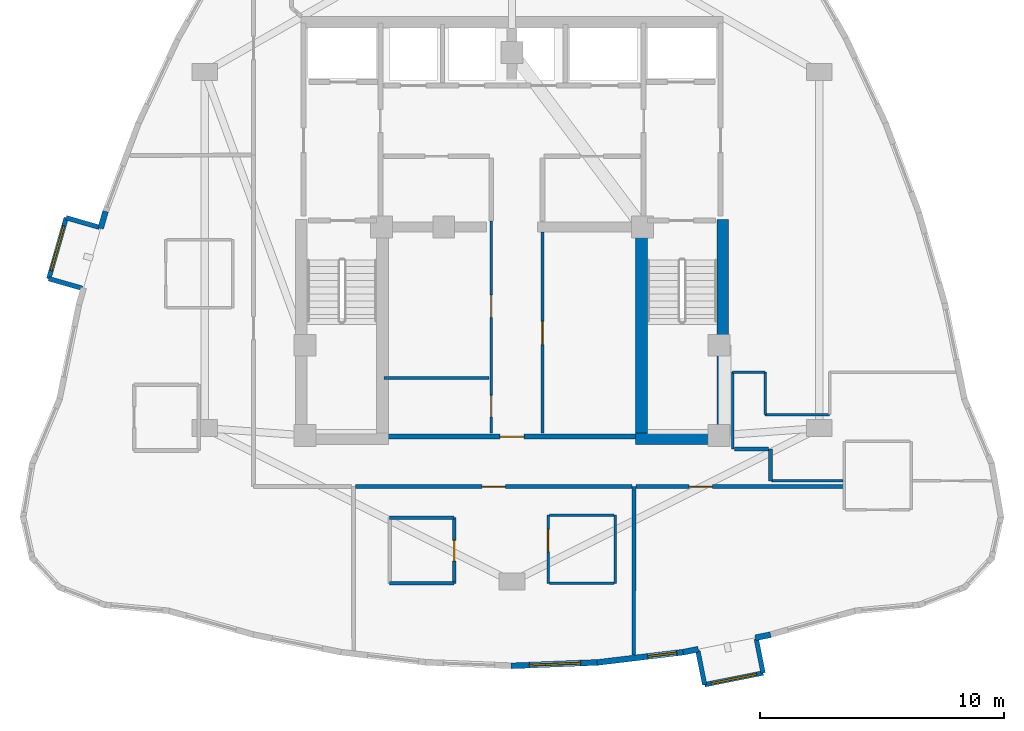
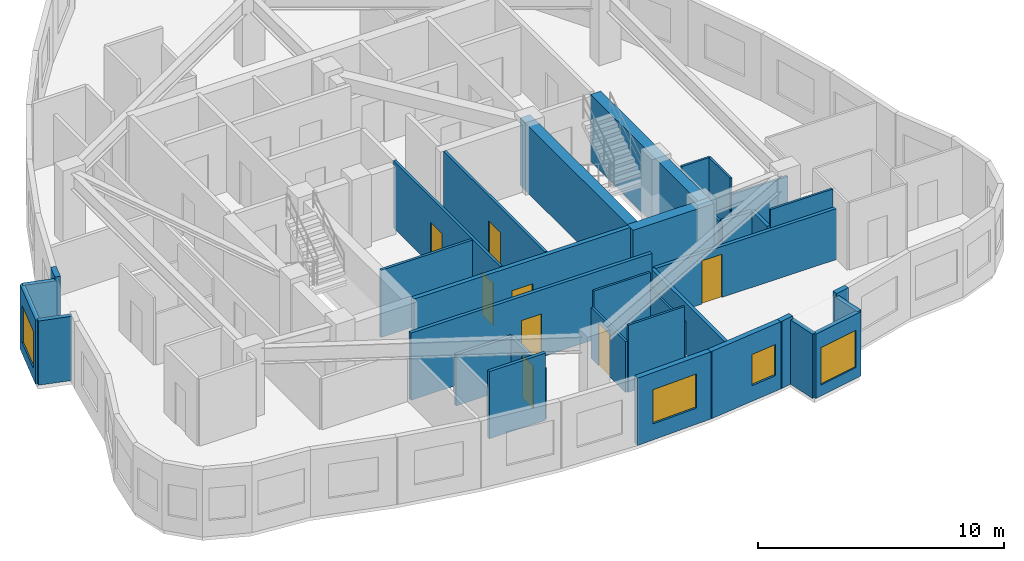
# One storey, part 4 of 8: 35 walls, 8 doors, 4 windows, 12 openings.
"""IFC4 building model written with IfcOpenShell, lengths in metres."""

from ifc_helpers import new_model, si_unit, direction, frame, frame_2d, origin, place, context, subcontext, project, spatial, rectangle, extrude, material, layer, layer_set, type_object, element, fill, save


model = new_model("IFC4")

# Units and contexts
model_context = context("Model", 3, precision=1e-05, world=origin(), true_north=direction((0.0, 1.0)))
body_context = subcontext(model_context, "Body", "Model", "MODEL_VIEW")
ifc_project = project(units=[si_unit("LENGTHUNIT", "METRE"), si_unit("AREAUNIT", "SQUARE_METRE"), si_unit("VOLUMEUNIT", "CUBIC_METRE"), si_unit("PLANEANGLEUNIT", "RADIAN"), si_unit("MASSUNIT", "GRAM", prefix="KILO")], contexts=[model_context])

# Site, building, storey
site_placement = place(None, origin())
site = spatial("IfcSite", under=ifc_project, at=site_placement, CompositionType="ELEMENT")
building_placement = place(site_placement, origin())
building = spatial("IfcBuilding", under=site, at=building_placement, Name="Miruveldt Soraemaru", CompositionType="ELEMENT")
storey_placement = place(building_placement, frame((0.0, 0.0, 212.39990234375)))
storey = spatial("IfcBuildingStorey", under=building, at=storey_placement, Name="L58", CompositionType="ELEMENT", Elevation=212.39990234375)

# Walls
ifc_material_1 = material(Name="White powder-coated aluminium EN AW-6060 T6", Category="aluminium")
ifc_layer_1 = layer(ifc_material_1, 0.18994140625, Name="White powder-coated aluminium EN AW-6060 T6", Category="aluminium")
ifc_layer_set_1 = layer_set([ifc_layer_1], Name="White powder-coated aluminium EN AW-6060 T6")
wall_type_1 = type_object("IfcWallType", Name="WALL-BAY-ALU190", PredefinedType="SOLIDWALL", material=ifc_layer_set_1)
for number, where, z_axis, x_axis, name in (
    (1, (27.081787109375, 44.035888671875, 0.0), (0.0, 0.0, 1.0), (-0.961407497968, 0.27512837522, 0.0), "L58 Bay Window Side Cheek 3L"),
    (2, (24.99658203125, 41.92822265625, 0.0), (0.0, 0.0, 1.0), (0.961452801096, -0.274970018845, 0.0), "L58 Bay Window Side Cheek 3R"),
):
    element("IfcWall", number, at=place(storey_placement, frame(where, z_axis=z_axis, x_axis=x_axis)), inside=storey, type_object=wall_type_1, Name=name, PredefinedType="SOLIDWALL", context=body_context, shape_type="SweptSolid", body=[
        extrude(rectangle(XDim=1.425048828125, YDim=0.18994140625, at=frame_2d((0.71240234375, 0.0))), origin(), (0.0, 0.0, 1.0), 3.195068359375),
    ])

# Wall, opening, window
wall_1_placement = place(storey_placement, frame((25.711669921875, 44.427978515625, 0.0), z_axis=(0.0, 0.0, 1.0), x_axis=(-0.275031158597, -0.961435313373, 0.0)))
wall_1 = element("IfcWall", 3, at=wall_1_placement, inside=storey, type_object=wall_type_1, Name="L58 Bay Window Front Frame 3", PredefinedType="SOLIDWALL", context=body_context, shape_type="SweptSolid", body=[
    extrude(rectangle(XDim=2.60009765625, YDim=0.18994140625, at=frame_2d((1.300048828125, 0.0))), origin(), (0.0, 0.0, 1.0), 3.195068359375),
])
opening_1_placement = place(wall_1_placement, frame((0.35009765625, 0.0, 0.550048828125)))
opening_1 = element("IfcOpeningElement", 4, at=opening_1_placement, cuts=wall_1, Name="Opening WN-6", PredefinedType="OPENING", context=body_context, shape_type="SweptSolid", body=[
    extrude(rectangle(XDim=1.89990234375, YDim=1.85009765625, at=frame_2d((0.949951171875, 0.925048828125))), frame((0.0, 0.10498046875, 0.0), z_axis=(0.0, -1.0, 0.0), x_axis=(1.0, 0.0, 0.0)), (0.0, 0.0, 1.0), 0.2099609375),
])
ifc_material_2 = material(Name="Triple low-e insulated glazing", Category="glass")
window_type_1 = type_object("IfcWindowType", Name="WIN-BAYW-1900x1850", PartitioningType="SINGLE_PANEL", PredefinedType="WINDOW", material=ifc_material_2)
window_1_placement = place(opening_1_placement, origin())
window_1 = element("IfcWindow", 5, at=window_1_placement, inside=storey, type_object=window_type_1, Name="L58 Projecting Bay Window 3", OverallHeight=1.85009765625, OverallWidth=1.89990234375, PartitioningType="SINGLE_PANEL", PredefinedType="WINDOW", context=body_context, shape_type="SweptSolid", body=[
    extrude(rectangle(XDim=1.89990234375, YDim=1.85009765625, at=frame_2d((0.949951171875, 0.925048828125))), frame((0.0, 0.030029296875, 0.0), z_axis=(0.0, -1.0, 0.0), x_axis=(1.0, 0.0, 0.0)), (0.0, 0.0, 1.0), 0.06005859375),
])
fill(opening_1, window_1)

# Walls
for number, where, z_axis, x_axis, name in (
    (6, (51.623779296875, 26.671142578125, 0.0), (0.0, 0.0, 1.0), (0.196149079112, -0.980574086321, 0.0), "L58 Bay Window Side Cheek 1L"),
    (7, (54.2998046875, 25.7529296875, 0.0), (0.0, 0.0, 1.0), (-0.195984352603, 0.980607022989, 0.0), "L58 Bay Window Side Cheek 1R"),
):
    element("IfcWall", number, at=place(storey_placement, frame(where, z_axis=z_axis, x_axis=x_axis)), inside=storey, type_object=wall_type_1, Name=name, PredefinedType="SOLIDWALL", context=body_context, shape_type="SweptSolid", body=[
        extrude(rectangle(XDim=1.425048828125, YDim=0.18994140625, at=frame_2d((0.71240234375, 0.0))), origin(), (0.0, 0.0, 1.0), 3.195068359375),
    ])

# Wall, opening, window
wall_2_placement = place(storey_placement, frame((51.9033203125, 25.273681640625, 0.0), z_axis=(0.0, 0.0, 1.0), x_axis=(0.980584517678, 0.196096924226, 0.0)))
wall_2 = element("IfcWall", 8, at=wall_2_placement, inside=storey, type_object=wall_type_1, Name="L58 Bay Window Front Frame 1", PredefinedType="SOLIDWALL", context=body_context, shape_type="SweptSolid", body=[
    extrude(rectangle(XDim=2.44384765625, YDim=0.18994140625, at=frame_2d((1.221923828125, 0.0))), origin(), (0.0, 0.0, 1.0), 3.195068359375),
])
opening_2_placement = place(wall_2_placement, frame((0.27197265625, 0.0, 0.550048828125)))
opening_2 = element("IfcOpeningElement", 9, at=opening_2_placement, cuts=wall_2, Name="Opening WN-6", PredefinedType="OPENING", context=body_context, shape_type="SweptSolid", body=[
    extrude(rectangle(XDim=1.89990234375, YDim=1.85009765625, at=frame_2d((0.949951171875, 0.925048828125))), frame((0.0, 0.10498046875, 0.0), z_axis=(0.0, -1.0, 0.0), x_axis=(1.0, 0.0, 0.0)), (0.0, 0.0, 1.0), 0.2099609375),
])
window_2_placement = place(opening_2_placement, origin())
window_2 = element("IfcWindow", 10, at=window_2_placement, inside=storey, type_object=window_type_1, Name="L58 Projecting Bay Window 1", OverallHeight=1.85009765625, OverallWidth=1.89990234375, PartitioningType="SINGLE_PANEL", PredefinedType="WINDOW", context=body_context, shape_type="SweptSolid", body=[
    extrude(rectangle(XDim=1.89990234375, YDim=1.85009765625, at=frame_2d((0.949951171875, 0.925048828125))), frame((0.0, 0.030029296875, 0.0), z_axis=(0.0, -1.0, 0.0), x_axis=(1.0, 0.0, 0.0)), (0.0, 0.0, 1.0), 0.06005859375),
])
fill(opening_2, window_2)

# Walls
ifc_material_3 = material(Name="Concrete C60/75 (60 MPa)", Category="concrete")
ifc_layer_2 = layer(ifc_material_3, 0.47998046875, Name="Concrete C60/75 (60 MPa)", Category="concrete")
ifc_layer_set_2 = layer_set([ifc_layer_2], Name="Concrete C60/75 (60 MPa)")
wall_type_2 = type_object("IfcWallType", Name="WALL-CW-480", PredefinedType="SHEAR", material=ifc_layer_set_2)
wall_3_placement = place(storey_placement, frame((49.070068359375, 35.360107421875, 0.0), z_axis=(0.0, 0.0, 1.0), x_axis=(1.0, 0.0, 0.0)))
element("IfcWall", 11, at=wall_3_placement, inside=storey, type_object=wall_type_2, Name="L58 Central Core Shear Wall S2", PredefinedType="SHEAR", context=body_context, shape_type="SweptSolid", body=[
    extrude(rectangle(XDim=3.809814453125, YDim=0.47998046875, at=frame_2d((1.90478515625, 0.0))), origin(), (0.0, 0.0, 1.0), 3.34521484375),
])
wall_4_placement = place(storey_placement, frame((52.639892578125, 35.1201171875, 0.0), z_axis=(0.0, 0.0, 1.0), x_axis=(0.0, 1.0, 0.0)))
element("IfcWall", 12, at=wall_4_placement, inside=storey, type_object=wall_type_2, Name="L58 Central Core Shear Wall E1", PredefinedType="SHEAR", context=body_context, shape_type="SweptSolid", body=[
    extrude(rectangle(XDim=9.22998046875, YDim=0.47998046875, at=frame_2d((4.614990234375, 0.0))), origin(), (0.0, 0.0, 1.0), 3.34521484375),
])
wall_5_placement = place(storey_placement, frame((49.31005859375, 35.39990234375, 0.0), z_axis=(0.0, 0.0, 1.0), x_axis=(0.0, 1.0, 0.0)))
element("IfcWall", 13, at=wall_5_placement, inside=storey, type_object=wall_type_2, Name="L58 Central Core Shear Wall SE-INT", PredefinedType="SHEAR", context=body_context, shape_type="SweptSolid", body=[
    extrude(rectangle(XDim=8.9501953125, YDim=0.47998046875, at=frame_2d((4.47509765625, 0.0))), origin(), (0.0, 0.0, 1.0), 3.34521484375),
])
ifc_material_4 = material(Name="Precast concrete C45/55 (45 MPa)", Category="concrete")
ifc_layer_3 = layer(ifc_material_4, 0.239990234375, Name="Precast concrete C45/55 (45 MPa)", Category="concrete")
ifc_layer_set_3 = layer_set([ifc_layer_3], Name="Precast concrete C45/55 (45 MPa)")
wall_type_3 = type_object("IfcWallType", Name="WALL-EXT-PC240", PredefinedType="SOLIDWALL", material=ifc_layer_set_3)
wall_6_placement = place(storey_placement, frame((27.325927734375, 44.690185546875, 0.0), z_axis=(0.0, 0.0, 1.0), x_axis=(-0.274765545951, -0.961511255659, 0.0)))
element("IfcWall", 14, at=wall_6_placement, inside=storey, type_object=wall_type_3, Name="L58 Precast Pier Wall 13A", PredefinedType="SOLIDWALL", context=body_context, shape_type="SweptSolid", body=[
    extrude(rectangle(XDim=0.725830078125, YDim=0.239990234375, at=frame_2d((0.36279296875, 0.0))), origin(), (0.0, 0.0, 1.0), 3.34521484375),
])

# Wall, opening, window
wall_7_placement = place(storey_placement, frame((43.965087890625, 26.046875, 0.0), z_axis=(0.0, 0.0, 1.0), x_axis=(0.999200741881, 0.039973459008, 0.0)))
wall_7 = element("IfcWall", 15, at=wall_7_placement, inside=storey, type_object=wall_type_3, Name="L58 Precast Concrete Facade Wall 25", PredefinedType="SOLIDWALL", context=body_context, shape_type="SweptSolid", body=[
    extrude(rectangle(XDim=3.597412109375, YDim=0.239990234375, at=frame_2d((1.798828125, 0.0))), origin(), (0.0, 0.0, 1.0), 3.34521484375),
])
opening_3_placement = place(wall_7_placement, frame((0.748046875, 0.0, 0.800048828125)))
opening_3 = element("IfcOpeningElement", 16, at=opening_3_placement, cuts=wall_7, Name="Opening WN-1", PredefinedType="OPENING", context=body_context, shape_type="SweptSolid", body=[
    extrude(rectangle(XDim=2.10009765625, YDim=1.699951171875, at=frame_2d((1.050048828125, 0.85009765625))), frame((0.0, 0.1298828125, 0.0), z_axis=(0.0, -1.0, 0.0), x_axis=(1.0, 0.0, 0.0)), (0.0, 0.0, 1.0), 0.260009765625),
])
window_type_2 = type_object("IfcWindowType", Name="WIN-PUNCH-2100x1700", PartitioningType="SINGLE_PANEL", PredefinedType="WINDOW", material=ifc_material_2)
window_3_placement = place(opening_3_placement, origin())
window_3 = element("IfcWindow", 17, at=window_3_placement, inside=storey, type_object=window_type_2, Name="L58 Punched Triple-Glazed Window 25.1", OverallHeight=1.699951171875, OverallWidth=2.10009765625, PartitioningType="SINGLE_PANEL", PredefinedType="WINDOW", context=body_context, shape_type="SweptSolid", body=[
    extrude(rectangle(XDim=2.10009765625, YDim=1.699951171875, at=frame_2d((1.050048828125, 0.85009765625))), frame((0.0, 0.030029296875, 0.0), z_axis=(0.0, -1.0, 0.0), x_axis=(1.0, 0.0, 0.0)), (0.0, 0.0, 1.0), 0.06005859375),
])
fill(opening_3, window_3)

wall_8_placement = place(storey_placement, frame((47.48974609375, 26.18505859375, 0.0), z_axis=(0.0, 0.0, 1.0), x_axis=(0.992873966084, 0.119169154875, 0.0)))
wall_8 = element("IfcWall", 18, at=wall_8_placement, inside=storey, type_object=wall_type_3, Name="L58 Precast Concrete Facade Wall 26", PredefinedType="SOLIDWALL", context=body_context, shape_type="SweptSolid", body=[
    extrude(rectangle(XDim=3.6201171875, YDim=0.239990234375, at=frame_2d((1.81005859375, 0.0))), origin(), (0.0, 0.0, 1.0), 3.34521484375),
])
opening_4_placement = place(wall_8_placement, frame((2.094970703125, 0.0, 0.780029296875)))
opening_4 = element("IfcOpeningElement", 19, at=opening_4_placement, cuts=wall_8, Name="Opening WN-4", PredefinedType="OPENING", context=body_context, shape_type="SweptSolid", body=[
    extrude(rectangle(XDim=1.199951171875, YDim=1.550048828125, at=frame_2d((0.60009765625, 0.77490234375))), frame((0.0, 0.1298828125, 0.0), z_axis=(0.0, -1.0, 0.0), x_axis=(1.0, 0.0, 0.0)), (0.0, 0.0, 1.0), 0.260009765625),
])
window_type_3 = type_object("IfcWindowType", Name="WIN-PUNCH-1200x1550", PartitioningType="SINGLE_PANEL", PredefinedType="WINDOW", material=ifc_material_2)
window_4_placement = place(opening_4_placement, origin())
window_4 = element("IfcWindow", 20, at=window_4_placement, inside=storey, type_object=window_type_3, Name="L58 Punched Triple-Glazed Window 26.1", OverallHeight=1.550048828125, OverallWidth=1.199951171875, PartitioningType="SINGLE_PANEL", PredefinedType="WINDOW", context=body_context, shape_type="SweptSolid", body=[
    extrude(rectangle(XDim=1.199951171875, YDim=1.550048828125, at=frame_2d((0.60009765625, 0.77490234375))), frame((0.0, 0.030029296875, 0.0), z_axis=(0.0, -1.0, 0.0), x_axis=(1.0, 0.0, 0.0)), (0.0, 0.0, 1.0), 0.06005859375),
])
fill(opening_4, window_4)

# Walls
for number, where, z_axis, x_axis, name in (
    (21, (51.014892578125, 26.605224609375, 0.0), (0.0, 0.0, 1.0), (0.980521958321, 0.19640949379, 0.0), "L58 Precast Pier Wall 27A"),
    (22, (53.980224609375, 27.198486328125, 0.0), (0.0, 0.0, 1.0), (0.980595342417, 0.196042787243, 0.0), "L58 Precast Pier Wall 27B"),
):
    element("IfcWall", number, at=place(storey_placement, frame(where, z_axis=z_axis, x_axis=x_axis)), inside=storey, type_object=wall_type_3, Name=name, PredefinedType="SOLIDWALL", context=body_context, shape_type="SweptSolid", body=[
        extrude(rectangle(XDim=0.64013671875, YDim=0.239990234375, at=frame_2d((0.320068359375, 0.0))), origin(), (0.0, 0.0, 1.0), 3.34521484375),
    ])

# Wall, opening, door
ifc_material_5 = material(Name="Gypsum plasterboard lining", Category="gypsum")
ifc_layer_4 = layer(ifc_material_5, 0.10009765625, Name="Gypsum plasterboard lining", Category="gypsum")
ifc_layer_set_4 = layer_set([ifc_layer_4], Name="Gypsum plasterboard lining")
wall_type_4 = type_object("IfcWallType", Name="WALL-INT-P100", PredefinedType="PARTITIONING", material=ifc_layer_set_4)
wall_9_placement = place(storey_placement, frame((45.47998046875, 32.22998046875, 0.0), z_axis=(0.0, 0.0, 1.0), x_axis=(0.0, -1.0, 0.0)))
wall_9 = element("IfcWall", 23, at=wall_9_placement, inside=storey, type_object=wall_type_4, Name="L58 Partition Wall 34", PredefinedType="PARTITIONING", context=body_context, shape_type="SweptSolid", body=[
    extrude(rectangle(XDim=2.800048828125, YDim=0.10009765625, at=frame_2d((1.39990234375, 0.0))), origin(), (0.0, 0.0, 1.0), 2.533203125),
])
opening_5_placement = place(wall_9_placement, frame((0.580078125, 0.0, 0.0)))
opening_5 = element("IfcOpeningElement", 24, at=opening_5_placement, cuts=wall_9, Name="Opening D3A", PredefinedType="OPENING", context=body_context, shape_type="SweptSolid", body=[
    extrude(rectangle(XDim=0.919921875, YDim=2.10009765625, at=frame_2d((0.4599609375, 1.050048828125))), frame((0.0, 0.06005859375, 0.0), z_axis=(0.0, -1.0, 0.0), x_axis=(1.0, 0.0, 0.0)), (0.0, 0.0, 1.0), 0.1201171875),
])
ifc_material_6 = material(Name="Anodised aluminium EN AW-6063 T6", Category="aluminium")
door_type_1 = type_object("IfcDoorType", Name="DOOR-INT-920", OperationType="NOTDEFINED", PredefinedType="DOOR", material=ifc_material_6)
door_1_placement = place(opening_5_placement, origin())
door_1 = element("IfcDoor", 25, at=door_1_placement, inside=storey, type_object=door_type_1, Name="L58 Unit 5804 KIT Door", OperationType="SINGLE_SWING_RIGHT", OverallHeight=2.10009765625, OverallWidth=0.919921875, PredefinedType="DOOR", context=body_context, shape_type="SweptSolid", body=[
    extrude(rectangle(XDim=0.919921875, YDim=2.10009765625, at=frame_2d((0.4599609375, 1.050048828125))), frame((0.0, 0.02490234375, 0.0), z_axis=(0.0, -1.0, 0.0), x_axis=(1.0, 0.0, 0.0)), (0.0, 0.0, 1.0), 0.050048828125),
])
fill(opening_5, door_1)

# Walls
wall_10_placement = place(storey_placement, frame((53.050048828125, 34.949951171875, 0.0), z_axis=(0.0, 0.0, 1.0), x_axis=(0.0, 1.0, 0.0)))
element("IfcWall", 26, at=wall_10_placement, inside=storey, type_object=wall_type_4, Name="L58 Partition Wall 45", PredefinedType="PARTITIONING", context=body_context, shape_type="SweptSolid", body=[
    extrude(rectangle(XDim=3.14404296875, YDim=0.10009765625, at=frame_2d((1.572021484375, 0.0))), origin(), (0.0, 0.0, 1.0), 2.533203125),
])
wall_11_placement = place(storey_placement, frame((57.580078125, 33.639892578125, 0.0), z_axis=(0.0, 0.0, 1.0), x_axis=(-1.0, 0.0, 0.0)))
element("IfcWall", 27, at=wall_11_placement, inside=storey, type_object=wall_type_4, Name="L58 Partition Wall 41", PredefinedType="PARTITIONING", context=body_context, shape_type="SweptSolid", body=[
    extrude(rectangle(XDim=2.93017578125, YDim=0.10009765625, at=frame_2d((1.465087890625, 0.0))), origin(), (0.0, 0.0, 1.0), 3.34521484375),
])
wall_12_placement = place(storey_placement, frame((48.22998046875, 29.429931640625, 0.0), z_axis=(0.0, 0.0, 1.0), x_axis=(0.0, 1.0, 0.0)))
element("IfcWall", 28, at=wall_12_placement, inside=storey, type_object=wall_type_4, Name="L58 Partition Wall 32", PredefinedType="PARTITIONING", context=body_context, shape_type="SweptSolid", body=[
    extrude(rectangle(XDim=2.800048828125, YDim=0.10009765625, at=frame_2d((1.39990234375, 0.0))), origin(), (0.0, 0.0, 1.0), 2.533203125),
])
for number, where, z_axis, x_axis, name in (
    (29, (48.179931640625, 32.22998046875, 0.0), (0.0, 0.0, 1.0), (-1.0, 0.0, 0.0), "L58 Partition Wall 33"),
    (30, (45.530029296875, 29.429931640625, 0.0), (0.0, 0.0, 1.0), (1.0, 0.0, 0.0), "L58 Partition Wall 35"),
):
    element("IfcWall", number, at=place(storey_placement, frame(where, z_axis=z_axis, x_axis=x_axis)), inside=storey, type_object=wall_type_4, Name=name, PredefinedType="PARTITIONING", context=body_context, shape_type="SweptSolid", body=[
        extrude(rectangle(XDim=2.64990234375, YDim=0.10009765625, at=frame_2d((1.324951171875, 0.0))), origin(), (0.0, 0.0, 1.0), 3.34521484375),
    ])
wall_13_placement = place(storey_placement, frame((54.3798828125, 36.35498046875, 0.0), z_axis=(0.0, 0.0, 1.0), x_axis=(1.0, 0.0, 0.0)))
element("IfcWall", 31, at=wall_13_placement, inside=storey, type_object=wall_type_4, Name="L58 Partition Wall 48", PredefinedType="PARTITIONING", context=body_context, shape_type="SweptSolid", body=[
    extrude(rectangle(XDim=2.650146484375, YDim=0.10009765625, at=frame_2d((1.3251953125, 0.0))), origin(), (0.0, 0.0, 1.0), 2.533203125),
])
wall_14_placement = place(storey_placement, frame((54.3798828125, 38.093994140625, 0.0), z_axis=(0.0, 0.0, 1.0), x_axis=(0.0, -1.0, 0.0)))
element("IfcWall", 32, at=wall_14_placement, inside=storey, type_object=wall_type_4, Name="L58 Partition Wall 47", PredefinedType="PARTITIONING", context=body_context, shape_type="SweptSolid", body=[
    extrude(rectangle(XDim=1.739013671875, YDim=0.10009765625, at=frame_2d((0.86962890625, 0.0))), origin(), (0.0, 0.0, 1.0), 3.34521484375),
])
wall_15_placement = place(storey_placement, frame((53.050048828125, 38.093994140625, 0.0), z_axis=(0.0, 0.0, 1.0), x_axis=(1.0, 0.0, 0.0)))
element("IfcWall", 33, at=wall_15_placement, inside=storey, type_object=wall_type_4, Name="L58 Partition Wall 46", PredefinedType="PARTITIONING", context=body_context, shape_type="SweptSolid", body=[
    extrude(rectangle(XDim=1.329833984375, YDim=0.10009765625, at=frame_2d((0.6650390625, 0.0))), origin(), (0.0, 0.0, 1.0), 3.34521484375),
])

# Wall, openings, doors
ifc_layer_5 = layer(ifc_material_5, 0.1201171875, Name="Gypsum plasterboard lining", Category="gypsum")
ifc_layer_set_5 = layer_set([ifc_layer_5], Name="Gypsum plasterboard lining")
wall_type_5 = type_object("IfcWallType", Name="WALL-INT-P120", PredefinedType="PARTITIONING", material=ifc_layer_set_5)
wall_16_placement = place(storey_placement, frame((43.14990234375, 35.60009765625, 0.0), z_axis=(0.0, 0.0, 1.0), x_axis=(0.0, 1.0, 0.0)))
wall_16 = element("IfcWall", 34, at=wall_16_placement, inside=storey, type_object=wall_type_5, Name="L58 Core Compartment Wall SP-WL", PredefinedType="PARTITIONING", context=body_context, shape_type="SweptSolid", body=[
    extrude(rectangle(XDim=8.699951171875, YDim=0.1201171875, at=frame_2d((4.35009765625, 0.0))), origin(), (0.0, 0.0, 1.0), 3.34521484375),
])
opening_6_placement = place(wall_16_placement, frame((0.659912109375, 0.0, 0.0)))
opening_6 = element("IfcOpeningElement", 35, at=opening_6_placement, cuts=wall_16, Name="Opening D4", PredefinedType="OPENING", context=body_context, shape_type="SweptSolid", body=[
    extrude(rectangle(XDim=0.8798828125, YDim=2.10009765625, at=frame_2d((0.43994140625, 1.050048828125))), frame((0.0, 0.070068359375, 0.0), z_axis=(0.0, -1.0, 0.0), x_axis=(1.0, 0.0, 0.0)), (0.0, 0.0, 1.0), 0.14013671875),
])
opening_7_placement = place(wall_16_placement, frame((4.739990234375, 0.0, 0.0)))
opening_7 = element("IfcOpeningElement", 36, at=opening_7_placement, cuts=wall_16, Name="Opening D3A", PredefinedType="OPENING", context=body_context, shape_type="SweptSolid", body=[
    extrude(rectangle(XDim=0.919921875, YDim=2.10009765625, at=frame_2d((0.4599609375, 1.050048828125))), frame((0.0, 0.070068359375, 0.0), z_axis=(0.0, -1.0, 0.0), x_axis=(1.0, 0.0, 0.0)), (0.0, 0.0, 1.0), 0.14013671875),
])
door_type_2 = type_object("IfcDoorType", Name="DOOR-INT-880", OperationType="NOTDEFINED", PredefinedType="DOOR", material=ifc_material_6)
door_2_placement = place(opening_6_placement, origin())
door_2 = element("IfcDoor", 37, at=door_2_placement, inside=storey, type_object=door_type_2, Name="L58 Fire Door", OperationType="SINGLE_SWING_LEFT", OverallHeight=2.10009765625, OverallWidth=0.8798828125, PredefinedType="DOOR", context=body_context, shape_type="SweptSolid", body=[
    extrude(rectangle(XDim=0.8798828125, YDim=2.10009765625, at=frame_2d((0.43994140625, 1.050048828125))), frame((0.0, 0.02490234375, 0.0), z_axis=(0.0, -1.0, 0.0), x_axis=(1.0, 0.0, 0.0)), (0.0, 0.0, 1.0), 0.050048828125),
])
fill(opening_6, door_2)
door_3_placement = place(opening_7_placement, origin())
door_3 = element("IfcDoor", 38, at=door_3_placement, inside=storey, type_object=door_type_1, Name="L58 Fire Door", OperationType="SINGLE_SWING_LEFT", OverallHeight=2.10009765625, OverallWidth=0.919921875, PredefinedType="DOOR", context=body_context, shape_type="SweptSolid", body=[
    extrude(rectangle(XDim=0.919921875, YDim=2.10009765625, at=frame_2d((0.4599609375, 1.050048828125))), frame((0.0, 0.02490234375, 0.0), z_axis=(0.0, -1.0, 0.0), x_axis=(1.0, 0.0, 0.0)), (0.0, 0.0, 1.0), 0.050048828125),
])
fill(opening_7, door_3)

# Wall, opening, door
wall_17_placement = place(storey_placement, frame((45.25, 35.60009765625, 0.0), z_axis=(0.0, 0.0, 1.0), x_axis=(0.0, 1.0, 0.0)))
wall_17 = element("IfcWall", 39, at=wall_17_placement, inside=storey, type_object=wall_type_5, Name="L58 Core Compartment Wall SP-EL", PredefinedType="PARTITIONING", context=body_context, shape_type="SweptSolid", body=[
    extrude(rectangle(XDim=8.25, YDim=0.1201171875, at=frame_2d((4.125, 0.0))), origin(), (0.0, 0.0, 1.0), 3.34521484375),
])
opening_8_placement = place(wall_17_placement, frame((3.625, 0.0, 0.0)))
opening_8 = element("IfcOpeningElement", 40, at=opening_8_placement, cuts=wall_17, Name="Opening D2", PredefinedType="OPENING", context=body_context, shape_type="SweptSolid", body=[
    extrude(rectangle(XDim=0.949951171875, YDim=2.10009765625, at=frame_2d((0.47509765625, 1.050048828125))), frame((0.0, 0.070068359375, 0.0), z_axis=(0.0, -1.0, 0.0), x_axis=(1.0, 0.0, 0.0)), (0.0, 0.0, 1.0), 0.14013671875),
])
door_type_3 = type_object("IfcDoorType", Name="DOOR-INT-950", OperationType="NOTDEFINED", PredefinedType="DOOR", material=ifc_material_6)
door_4_placement = place(opening_8_placement, origin())
door_4 = element("IfcDoor", 41, at=door_4_placement, inside=storey, type_object=door_type_3, Name="L58 Fire Door", OperationType="SINGLE_SWING_LEFT", OverallHeight=2.10009765625, OverallWidth=0.949951171875, PredefinedType="DOOR", context=body_context, shape_type="SweptSolid", body=[
    extrude(rectangle(XDim=0.949951171875, YDim=2.10009765625, at=frame_2d((0.47509765625, 1.050048828125))), frame((0.0, 0.02490234375, 0.0), z_axis=(0.0, -1.0, 0.0), x_axis=(1.0, 0.0, 0.0)), (0.0, 0.0, 1.0), 0.050048828125),
])
fill(opening_8, door_4)

# Wall
wall_18_placement = place(storey_placement, frame((38.75, 37.85009765625, 0.0), z_axis=(0.0, 0.0, 1.0), x_axis=(1.0, 0.0, 0.0)))
element("IfcWall", 42, at=wall_18_placement, inside=storey, type_object=wall_type_5, Name="L58 Core Compartment Wall RL-W1H", PredefinedType="PARTITIONING", context=body_context, shape_type="SweptSolid", body=[
    extrude(rectangle(XDim=4.300048828125, YDim=0.1201171875, at=frame_2d((2.14990234375, 0.0))), origin(), (0.0, 0.0, 1.0), 3.34521484375),
])

# Wall, opening, door
ifc_layer_6 = layer(ifc_material_5, 0.14990234375, Name="Gypsum plasterboard lining", Category="gypsum")
ifc_layer_set_6 = layer_set([ifc_layer_6], Name="Gypsum plasterboard lining")
wall_type_6 = type_object("IfcWallType", Name="WALL-INT-PLUMB", PredefinedType="PLUMBINGWALL", material=ifc_layer_set_6)
wall_19_placement = place(storey_placement, frame((41.6298828125, 29.429931640625, 0.0), z_axis=(0.0, 0.0, 1.0), x_axis=(0.0, 1.0, 0.0)))
wall_19 = element("IfcWall", 43, at=wall_19_placement, inside=storey, type_object=wall_type_6, Name="L58 Partition Wall 28", PredefinedType="PLUMBINGWALL", context=body_context, shape_type="SweptSolid", body=[
    extrude(rectangle(XDim=2.699951171875, YDim=0.14990234375, at=frame_2d((1.35009765625, 0.0))), origin(), (0.0, 0.0, 1.0), 2.533203125),
])
opening_9_placement = place(wall_19_placement, frame((0.909912109375, 0.0, 0.0)))
opening_9 = element("IfcOpeningElement", 44, at=opening_9_placement, cuts=wall_19, Name="Opening FD3", PredefinedType="OPENING", context=body_context, shape_type="SweptSolid", body=[
    extrude(rectangle(XDim=0.85009765625, YDim=2.10009765625, at=frame_2d((0.425048828125, 1.050048828125))), frame((0.0, 0.0849609375, 0.0), z_axis=(0.0, -1.0, 0.0), x_axis=(1.0, 0.0, 0.0)), (0.0, 0.0, 1.0), 0.169921875),
])
door_type_4 = type_object("IfcDoorType", Name="DOOR-FD3-850", OperationType="NOTDEFINED", PredefinedType="DOOR", material=ifc_material_6)
door_5_placement = place(opening_9_placement, origin())
door_5 = element("IfcDoor", 45, at=door_5_placement, inside=storey, type_object=door_type_4, Name="L58 Unit 5804 BTH Door", OperationType="SINGLE_SWING_LEFT", OverallHeight=2.10009765625, OverallWidth=0.85009765625, PredefinedType="DOOR", context=body_context, shape_type="SweptSolid", body=[
    extrude(rectangle(XDim=0.85009765625, YDim=2.10009765625, at=frame_2d((0.425048828125, 1.050048828125))), frame((0.0, 0.02490234375, 0.0), z_axis=(0.0, -1.0, 0.0), x_axis=(1.0, 0.0, 0.0)), (0.0, 0.0, 1.0), 0.050048828125),
])
fill(opening_9, door_5)

# Walls
wall_20_placement = place(storey_placement, frame((41.6298828125, 32.1298828125, 0.0), z_axis=(0.0, 0.0, 1.0), x_axis=(-1.0, 0.0, 0.0)))
element("IfcWall", 46, at=wall_20_placement, inside=storey, type_object=wall_type_6, Name="L58 Partition Wall 29", PredefinedType="PLUMBINGWALL", context=body_context, shape_type="SweptSolid", body=[
    extrude(rectangle(XDim=2.64990234375, YDim=0.14990234375, at=frame_2d((1.324951171875, 0.0))), origin(), (0.0, 0.0, 1.0), 2.533203125),
])
wall_21_placement = place(storey_placement, frame((38.97998046875, 29.429931640625, 0.0), z_axis=(0.0, 0.0, 1.0), x_axis=(1.0, 0.0, 0.0)))
element("IfcWall", 47, at=wall_21_placement, inside=storey, type_object=wall_type_6, Name="L58 Partition Wall 31", PredefinedType="PLUMBINGWALL", context=body_context, shape_type="SweptSolid", body=[
    extrude(rectangle(XDim=2.64990234375, YDim=0.14990234375, at=frame_2d((1.324951171875, 0.0))), origin(), (0.0, 0.0, 1.0), 3.34521484375),
])

# Wall, opening, door
ifc_material_7 = material(Name="Concrete C40/50 (40 MPa)", Category="concrete")
ifc_layer_7 = layer(ifc_material_7, 0.159912109375, Name="Concrete C40/50 (40 MPa)", Category="concrete")
ifc_layer_set_7 = layer_set([ifc_layer_7], Name="Concrete C40/50 (40 MPa)")
wall_type_7 = type_object("IfcWallType", Name="WALL-INT-RC160", PredefinedType="SOLIDWALL", material=ifc_layer_set_7)
wall_22_placement = place(storey_placement, frame((37.580078125, 33.39990234375, 0.0), z_axis=(0.0, 0.0, 1.0), x_axis=(1.0, 0.0, 0.0)))
wall_22 = element("IfcWall", 48, at=wall_22_placement, inside=storey, type_object=wall_type_7, Name="L58 Partition Wall 6", PredefinedType="SOLIDWALL", context=body_context, shape_type="SweptSolid", body=[
    extrude(rectangle(XDim=11.33984375, YDim=0.159912109375, at=frame_2d((5.669921875, 0.0))), origin(), (0.0, 0.0, 1.0), 3.34521484375),
])
opening_10_placement = place(wall_22_placement, frame((5.195068359375, 0.0, 0.0)))
opening_10 = element("IfcOpeningElement", 49, at=opening_10_placement, cuts=wall_22, Name="Opening FD2", PredefinedType="OPENING", context=body_context, shape_type="SweptSolid", body=[
    extrude(rectangle(XDim=0.949951171875, YDim=2.14990234375, at=frame_2d((0.47509765625, 1.074951171875))), frame((0.0, 0.08984375, 0.0), z_axis=(0.0, -1.0, 0.0), x_axis=(1.0, 0.0, 0.0)), (0.0, 0.0, 1.0), 0.179931640625),
])
door_type_5 = type_object("IfcDoorType", Name="DOOR-FD2-950", OperationType="NOTDEFINED", PredefinedType="DOOR", material=ifc_material_6)
door_6_placement = place(opening_10_placement, origin())
door_6 = element("IfcDoor", 50, at=door_6_placement, inside=storey, type_object=door_type_5, Name="L58 Unit 5804 Entrance Fire Door", OperationType="SINGLE_SWING_RIGHT", OverallHeight=2.14990234375, OverallWidth=0.949951171875, PredefinedType="DOOR", context=body_context, shape_type="SweptSolid", body=[
    extrude(rectangle(XDim=0.949951171875, YDim=2.14990234375, at=frame_2d((0.47509765625, 1.074951171875))), frame((0.0, 0.02490234375, 0.0), z_axis=(0.0, -1.0, 0.0), x_axis=(1.0, 0.0, 0.0)), (0.0, 0.0, 1.0), 0.050048828125),
])
fill(opening_10, door_6)

wall_23_placement = place(storey_placement, frame((49.0849609375, 33.39990234375, 0.0), z_axis=(0.0, 0.0, 1.0), x_axis=(1.0, 0.0, 0.0)))
wall_23 = element("IfcWall", 51, at=wall_23_placement, inside=storey, type_object=wall_type_7, Name="L58 Partition Wall 7", PredefinedType="SOLIDWALL", context=body_context, shape_type="SweptSolid", body=[
    extrude(rectangle(XDim=8.510009765625, YDim=0.159912109375, at=frame_2d((4.2548828125, 0.0))), origin(), (0.0, 0.0, 1.0), 2.533203125),
])
opening_11_placement = place(wall_23_placement, frame((2.179931640625, 0.0, 0.0)))
opening_11 = element("IfcOpeningElement", 52, at=opening_11_placement, cuts=wall_23, Name="Opening FD2", PredefinedType="OPENING", context=body_context, shape_type="SweptSolid", body=[
    extrude(rectangle(XDim=0.949951171875, YDim=2.14990234375, at=frame_2d((0.47509765625, 1.074951171875))), frame((0.0, 0.08984375, 0.0), z_axis=(0.0, -1.0, 0.0), x_axis=(1.0, 0.0, 0.0)), (0.0, 0.0, 1.0), 0.179931640625),
])
door_7_placement = place(opening_11_placement, origin())
door_7 = element("IfcDoor", 53, at=door_7_placement, inside=storey, type_object=door_type_5, Name="L58 Unit 5805 Entrance Fire Door", OperationType="SINGLE_SWING_LEFT", OverallHeight=2.14990234375, OverallWidth=0.949951171875, PredefinedType="DOOR", context=body_context, shape_type="SweptSolid", body=[
    extrude(rectangle(XDim=0.949951171875, YDim=2.14990234375, at=frame_2d((0.47509765625, 1.074951171875))), frame((0.0, 0.02490234375, 0.0), z_axis=(0.0, -1.0, 0.0), x_axis=(1.0, 0.0, 0.0)), (0.0, 0.0, 1.0), 0.050048828125),
])
fill(opening_11, door_7)

# Walls
wall_24_placement = place(storey_placement, frame((48.993896484375, 26.501953125, 0.0), z_axis=(0.0, 0.0, 1.0), x_axis=(0.000885456903, 0.999999607983, 0.0)))
element("IfcWall", 54, at=wall_24_placement, inside=storey, type_object=wall_type_7, Name="L58 Partition Wall 36", PredefinedType="SOLIDWALL", context=body_context, shape_type="SweptSolid", body=[
    extrude(rectangle(XDim=6.89306640625, YDim=0.159912109375, at=frame_2d((3.446533203125, 0.0))), origin(), (0.0, 0.0, 1.0), 2.533203125),
])
wall_25_placement = place(storey_placement, frame((54.52001953125, 34.949951171875, 0.0), z_axis=(0.0, 0.0, 1.0), x_axis=(-1.0, 0.0, 0.0)))
element("IfcWall", 55, at=wall_25_placement, inside=storey, type_object=wall_type_7, Name="L58 Partition Wall 9", PredefinedType="SOLIDWALL", context=body_context, shape_type="SweptSolid", body=[
    extrude(rectangle(XDim=1.39013671875, YDim=0.159912109375, at=frame_2d((0.695068359375, 0.0))), origin(), (0.0, 0.0, 1.0), 2.533203125),
])
wall_26_placement = place(storey_placement, frame((54.60009765625, 33.639892578125, 0.0), z_axis=(0.0, 0.0, 1.0), x_axis=(0.0, 1.0, 0.0)))
element("IfcWall", 56, at=wall_26_placement, inside=storey, type_object=wall_type_7, Name="L58 Partition Wall 8", PredefinedType="SOLIDWALL", context=body_context, shape_type="SweptSolid", body=[
    extrude(rectangle(XDim=1.31005859375, YDim=0.159912109375, at=frame_2d((0.655029296875, 0.0))), origin(), (0.0, 0.0, 1.0), 2.533203125),
])

# Wall, opening, door
ifc_layer_8 = layer(ifc_material_7, 0.199951171875, Name="Concrete C40/50 (40 MPa)", Category="concrete")
ifc_layer_set_8 = layer_set([ifc_layer_8], Name="Concrete C40/50 (40 MPa)")
wall_type_8 = type_object("IfcWallType", Name="WALL-INT-RC200", PredefinedType="SOLIDWALL", material=ifc_layer_set_8)
wall_27_placement = place(storey_placement, frame((38.89990234375, 35.449951171875, 0.0), z_axis=(0.0, 0.0, 1.0), x_axis=(1.0, 0.0, 0.0)))
wall_27 = element("IfcWall", 57, at=wall_27_placement, inside=storey, type_object=wall_type_8, Name="L58 Core Compartment Wall CS-S", PredefinedType="SOLIDWALL", context=body_context, shape_type="SweptSolid", body=[
    extrude(rectangle(XDim=10.2001953125, YDim=0.199951171875, at=frame_2d((5.10009765625, 0.0))), origin(), (0.0, 0.0, 1.0), 3.34521484375),
])
opening_12_placement = place(wall_27_placement, frame((4.60009765625, 0.0, 0.0)))
opening_12 = element("IfcOpeningElement", 58, at=opening_12_placement, cuts=wall_27, Name="Opening FD1", PredefinedType="OPENING", context=body_context, shape_type="SweptSolid", body=[
    extrude(rectangle(XDim=1.0, YDim=2.14990234375, at=frame_2d((0.5, 1.074951171875))), frame((0.0, 0.10986328125, 0.0), z_axis=(0.0, -1.0, 0.0), x_axis=(1.0, 0.0, 0.0)), (0.0, 0.0, 1.0), 0.219970703125),
])
door_type_6 = type_object("IfcDoorType", Name="DOOR-FD1-1000", OperationType="NOTDEFINED", PredefinedType="DOOR", material=ifc_material_6)
door_8_placement = place(opening_12_placement, origin())
door_8 = element("IfcDoor", 59, at=door_8_placement, inside=storey, type_object=door_type_6, Name="L58 Core South Lobby Fire Door", OperationType="SINGLE_SWING_LEFT", OverallHeight=2.14990234375, OverallWidth=1.0, PredefinedType="DOOR", context=body_context, shape_type="SweptSolid", body=[
    extrude(rectangle(XDim=1.0, YDim=2.14990234375, at=frame_2d((0.5, 1.074951171875))), frame((0.0, 0.02490234375, 0.0), z_axis=(0.0, -1.0, 0.0), x_axis=(1.0, 0.0, 0.0)), (0.0, 0.0, 1.0), 0.050048828125),
])
fill(opening_12, door_8)

save(model, "model.ifc")
